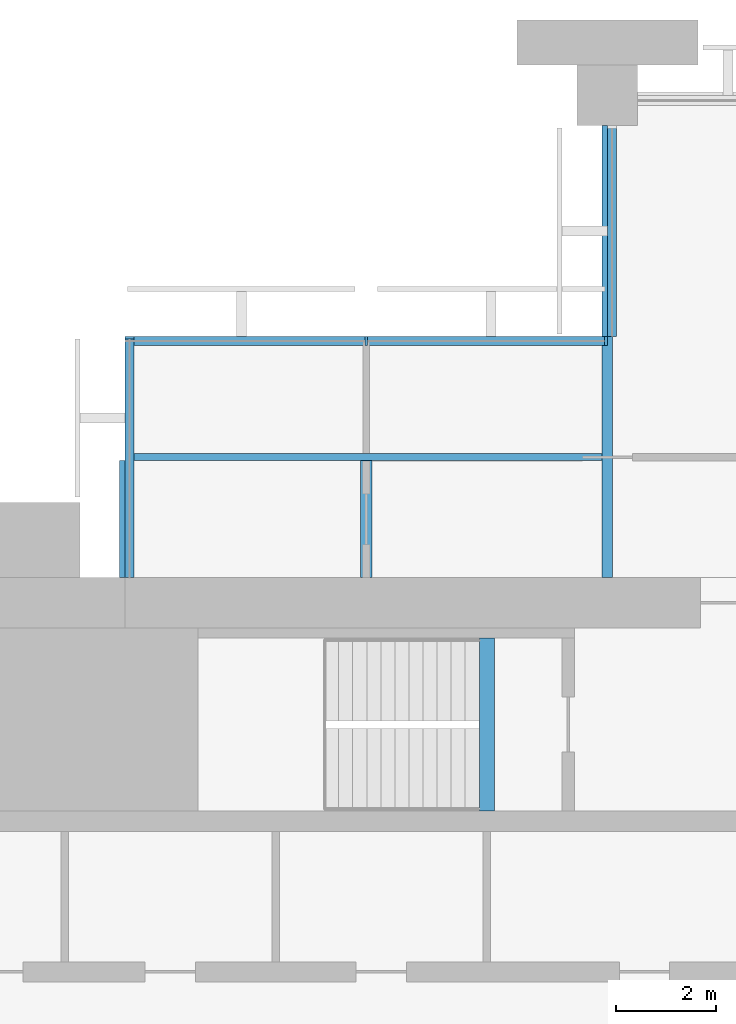
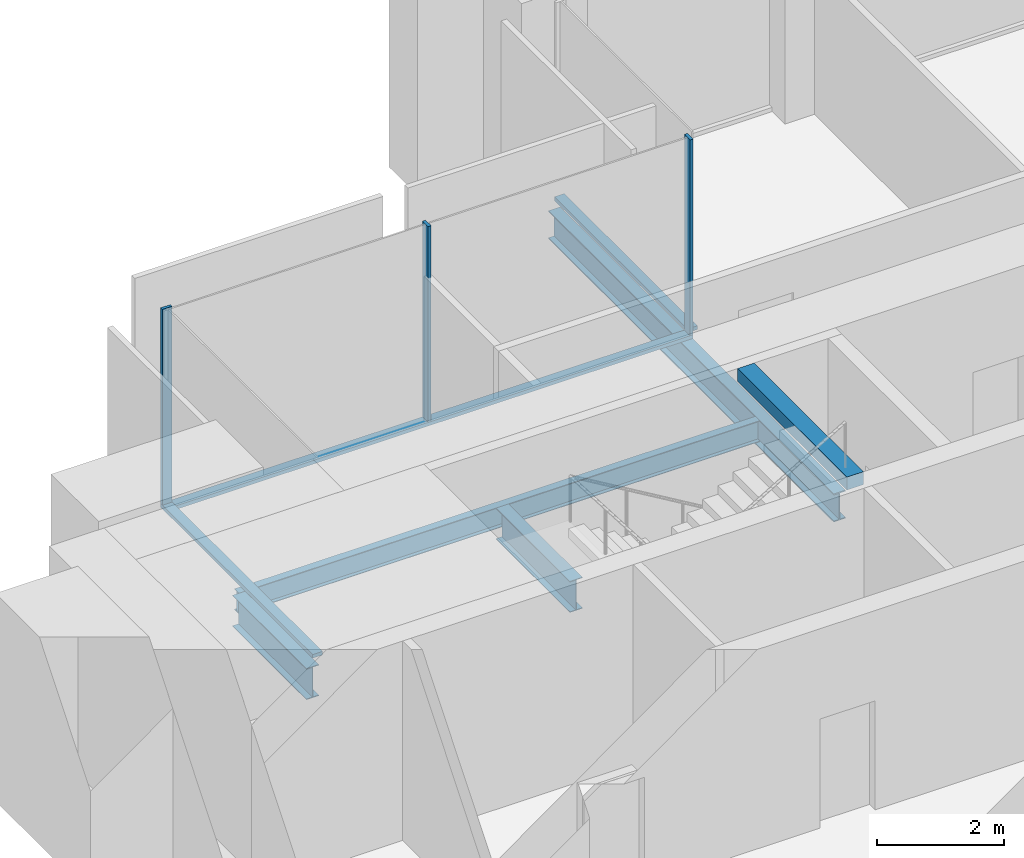
# One storey, part 5 of 14: 6 members, 5 beams, 3 elements without a shape of their own.
"""IFC4 building model written with IfcOpenShell, lengths in metres."""

from ifc_helpers import new_model, si_unit, direction, frame, origin, origin_2d, place, context, subcontext, project, spatial, rectangle, i_section, extrude, material, material_profile, profile_set, type_object, element, aggregate, save


model = new_model("IFC4")

# Units and contexts
model_context = context("Model", 3, precision=1e-05, world=origin(), true_north=direction((0.0, 1.0)))
body_context = subcontext(model_context, "Body", "Model", "MODEL_VIEW")
ifc_project = project(units=[si_unit("LENGTHUNIT", "METRE"), si_unit("AREAUNIT", "SQUARE_METRE"), si_unit("VOLUMEUNIT", "CUBIC_METRE"), si_unit("PLANEANGLEUNIT", "RADIAN"), si_unit("MASSUNIT", "GRAM", prefix="KILO")], contexts=[model_context])

# Site, building, storey
site_placement = place(None, origin())
site = spatial("IfcSite", under=ifc_project, at=site_placement, CompositionType="ELEMENT")
building_placement = place(site_placement, origin())
building = spatial("IfcBuilding", under=site, at=building_placement, Name="Baori Bourse Tower", CompositionType="ELEMENT")
storey_placement = place(building_placement, frame((0.0, 0.0, 160.10009765625)))
storey = spatial("IfcBuildingStorey", under=building, at=storey_placement, Name="L35", CompositionType="ELEMENT", Elevation=160.10009765625)

# Curtain wall, members
ifc_material_1 = material(Name="Pale anodised aluminium", Category="aluminium")
curtain_wall_type = type_object("IfcCurtainWallType", Name="CW2 Curtain wall", PredefinedType="NOTDEFINED", material=ifc_material_1)
curtain_wall_1_placement = place(storey_placement, origin())
curtain_wall_1 = element("IfcCurtainWall", 1, at=curtain_wall_1_placement, inside=storey, type_object=curtain_wall_type, Name="Curtain wall CW2 L35 6", PredefinedType="NOTDEFINED")
ifc_material_2 = material(Name="Pale anodised aluminium", Category="aluminium")
ifc_material_profile_1 = material_profile(ifc_material_2, rectangle(XDim=0.179931640625, YDim=0.054931640625, at=origin_2d()), Name="Mullion 55x180")
ifc_profile_set_1 = profile_set([ifc_material_profile_1], Name="Pale anodised aluminium")
member_type_1 = type_object("IfcMemberType", Name="CW2 Curtain wall mullion", PredefinedType="MULLION", material=ifc_profile_set_1)
member_1_placement = place(storey_placement, frame((14.37255859375, 43.110107421875, 0.06982421875), z_axis=(0.0, 0.0, 1.0), x_axis=(0.0, -1.0, 0.0)))
member_1 = element("IfcMember", 2, at=member_1_placement, type_object=member_type_1, Name="Curtain wall CW2 mullion", PredefinedType="MULLION", context=body_context, shape_type="SweptSolid", body=[
    extrude(rectangle(XDim=0.179931640625, YDim=0.054931640625, at=origin_2d()), origin(), (0.0, 0.0, 1.0), 3.77001953125),
])
member_2_placement = place(storey_placement, frame((9.60009765625, 43.110107421875, 0.06982421875), z_axis=(0.0, 0.0, 1.0), x_axis=(0.0, -1.0, 0.0)))
member_2 = element("IfcMember", 3, at=member_2_placement, type_object=member_type_1, Name="Curtain wall CW2 mullion", PredefinedType="MULLION", context=body_context, shape_type="SweptSolid", body=[
    extrude(rectangle(XDim=0.179931640625, YDim=0.054931640625, at=origin_2d()), origin(), (0.0, 0.0, 1.0), 3.77001953125),
])

# Curtain wall, member
curtain_wall_2_placement = place(storey_placement, origin())
curtain_wall_2 = element("IfcCurtainWall", 4, at=curtain_wall_2_placement, inside=storey, type_object=curtain_wall_type, Name="Curtain wall CW2 L35 7", PredefinedType="NOTDEFINED")
member_3_placement = place(storey_placement, frame((4.889892578125, 43.172607421875, 0.06982421875), z_axis=(0.0, 0.0, 1.0), x_axis=(1.0, 0.0, 0.0)))
member_3 = element("IfcMember", 5, at=member_3_placement, type_object=member_type_1, Name="Curtain wall CW2 mullion", PredefinedType="MULLION", context=body_context, shape_type="SweptSolid", body=[
    extrude(rectangle(XDim=0.179931640625, YDim=0.054931640625, at=origin_2d()), origin(), (0.0, 0.0, 1.0), 3.77001953125),
])

curtain_wall_3_placement = place(storey_placement, origin())
curtain_wall_3 = element("IfcCurtainWall", 6, at=curtain_wall_3_placement, inside=storey, type_object=curtain_wall_type, Name="Curtain wall CW2 L35 5", PredefinedType="NOTDEFINED")
ifc_material_3 = material(Name="Pale anodised aluminium", Category="aluminium")
ifc_material_profile_2 = material_profile(ifc_material_3, rectangle(XDim=0.179931640625, YDim=0.070068359375, at=origin_2d()), Name="Transom 70x180")
ifc_profile_set_2 = profile_set([ifc_material_profile_2], Name="Pale anodised aluminium")
member_type_2 = type_object("IfcMemberType", Name="CW2 Curtain wall transom", PredefinedType="USERDEFINED", material=ifc_profile_set_2)
member_4_placement = place(storey_placement, frame((14.489990234375, 47.39990234375, 0.034912109375), z_axis=(0.0, -1.0, 0.0), x_axis=(1.0, 0.0, 0.0)))
member_4 = element("IfcMember", 7, at=member_4_placement, type_object=member_type_2, Name="Curtain wall CW2 sill rail", ObjectType="TRANSOM", PredefinedType="USERDEFINED", context=body_context, shape_type="SweptSolid", body=[
    extrude(rectangle(XDim=0.179931640625, YDim=0.070068359375, at=origin_2d()), origin(), (0.0, 0.0, 1.0), 4.199951171875),
])
aggregate(curtain_wall_3, [member_4])

# Member
member_5_placement = place(storey_placement, frame((14.39990234375, 43.110107421875, 0.034912109375), z_axis=(-1.0, 0.0, 0.0), x_axis=(0.0, -1.0, 0.0)))
member_5 = element("IfcMember", 8, at=member_5_placement, type_object=member_type_2, Name="Curtain wall CW2 sill rail", ObjectType="TRANSOM", PredefinedType="USERDEFINED", context=body_context, shape_type="SweptSolid", body=[
    extrude(rectangle(XDim=0.179931640625, YDim=0.070068359375, at=origin_2d()), origin(), (0.0, 0.0, 1.0), 9.599853515625),
])

aggregate(curtain_wall_1, [member_5, member_1, member_2])

member_6_placement = place(storey_placement, frame((4.889892578125, 43.199951171875, 0.034912109375), z_axis=(0.0, -1.0, 0.0), x_axis=(1.0, 0.0, 0.0)))
member_6 = element("IfcMember", 9, at=member_6_placement, type_object=member_type_2, Name="Curtain wall CW2 sill rail", ObjectType="TRANSOM", PredefinedType="USERDEFINED", context=body_context, shape_type="SweptSolid", body=[
    extrude(rectangle(XDim=0.179931640625, YDim=0.070068359375, at=origin_2d()), origin(), (0.0, 0.0, 1.0), 4.800048828125),
])

aggregate(curtain_wall_2, [member_6, member_3])

# Beams
ifc_material_4 = material(Name="Steel A992 Gr 50", Category="steel")
ifc_material_profile_3 = material_profile(ifc_material_4, i_section(OverallWidth=0.227783203125, OverallDepth=0.60205078125, WebThickness=0.010498046875, FlangeThickness=0.014892578125, at=origin_2d()), Name="W24x68")
ifc_profile_set_3 = profile_set([ifc_material_profile_3], Name="Steel A992 Gr 50")
beam_type_1 = type_object("IfcBeamType", Name="Core bracket W24x68", PredefinedType="BEAM", material=ifc_profile_set_3)
for number, where, z_axis, x_axis, name in (
    (10, (4.800048828125, 38.39990234375, -0.461181640625), (0.0, 1.0, 0.0), (-1.0, 0.0, 0.0), "Core bracket L35"),
    (11, (9.60009765625, 38.39990234375, -0.461181640625), (0.0, 1.0, 0.0), (-1.0, 0.0, 0.0), "Core bracket L35"),
):
    element("IfcBeam", number, at=place(storey_placement, frame(where, z_axis=z_axis, x_axis=x_axis)), inside=storey, type_object=beam_type_1, Name=name, PredefinedType="BEAM", context=body_context, shape_type="SweptSolid", body=[
        extrude(i_section(OverallWidth=0.227783203125, OverallDepth=0.60205078125, WebThickness=0.010498046875, FlangeThickness=0.014892578125, at=origin_2d()), origin(), (0.0, 0.0, 1.0), 2.329833984375),
    ])
ifc_material_5 = material(Name="Steel A992 Gr 50", Category="steel")
ifc_material_profile_4 = material_profile(ifc_material_5, i_section(OverallWidth=0.21240234375, OverallDepth=0.54345703125, WebThickness=0.01318359375, FlangeThickness=0.021240234375, at=origin_2d()), Name="W21x83")
ifc_profile_set_4 = profile_set([ifc_material_profile_4], Name="Steel A992 Gr 50")
beam_type_2 = type_object("IfcBeamType", Name="Floor beam W21x83", PredefinedType="BEAM", material=ifc_profile_set_4)
beam_1_placement = place(storey_placement, frame((14.39990234375, 38.39990234375, -0.431884765625), z_axis=(0.0, 1.0, 0.0), x_axis=(-1.0, 0.0, 0.0)))
element("IfcBeam", 12, at=beam_1_placement, inside=storey, type_object=beam_type_2, Name="Floor beam L35", PredefinedType="BEAM", context=body_context, shape_type="SweptSolid", body=[
    extrude(i_section(OverallWidth=0.21240234375, OverallDepth=0.54345703125, WebThickness=0.01318359375, FlangeThickness=0.021240234375, at=origin_2d()), origin(), (0.0, 0.0, 1.0), 9.0),
])
ifc_material_6 = material(Name="Concrete f'c 50 MPa", Category="concrete")
ifc_material_profile_5 = material_profile(ifc_material_6, rectangle(XDim=0.300048828125, YDim=0.25, at=origin_2d()), Name="RC 300x250")
ifc_profile_set_5 = profile_set([ifc_material_profile_5], Name="Concrete f'c 50 MPa")
beam_type_3 = type_object("IfcBeamType", Name="Stair nib beam RC 300x250", PredefinedType="BEAM", material=ifc_profile_set_5)
beam_2_placement = place(storey_placement, frame((12.0, 33.75, 3.71484375), z_axis=(0.0, 1.0, 0.0), x_axis=(-1.0, 0.0, 0.0)))
element("IfcBeam", 13, at=beam_2_placement, inside=storey, type_object=beam_type_3, Name="Stair WB nib beam L36", PredefinedType="BEAM", context=body_context, shape_type="SweptSolid", body=[
    extrude(rectangle(XDim=0.300048828125, YDim=0.25, at=origin_2d()), origin(), (0.0, 0.0, 1.0), 3.449951171875),
])
ifc_material_7 = material(Name="Steel A992 Gr 50", Category="steel")
ifc_material_profile_6 = material_profile(ifc_material_7, i_section(OverallWidth=0.140380859375, OverallDepth=0.40380859375, WebThickness=0.007080078125, FlangeThickness=0.01123046875, at=origin_2d()), Name="W16x31")
ifc_profile_set_6 = profile_set([ifc_material_profile_6], Name="Steel A992 Gr 50")
beam_type_4 = type_object("IfcBeamType", Name="Trimmer beam W16x31", PredefinedType="BEAM", material=ifc_profile_set_6)
beam_3_placement = place(storey_placement, frame((4.800048828125, 40.800048828125, -0.362060546875), z_axis=(1.0, 0.0, 0.0), x_axis=(0.0, 1.0, 0.0)))
element("IfcBeam", 14, at=beam_3_placement, inside=storey, type_object=beam_type_4, Name="Trimmer beam L35", PredefinedType="BEAM", context=body_context, shape_type="SweptSolid", body=[
    extrude(i_section(OverallWidth=0.140380859375, OverallDepth=0.40380859375, WebThickness=0.007080078125, FlangeThickness=0.01123046875, at=origin_2d()), origin(), (0.0, 0.0, 1.0), 9.493896484375),
])

save(model, "model.ifc")
